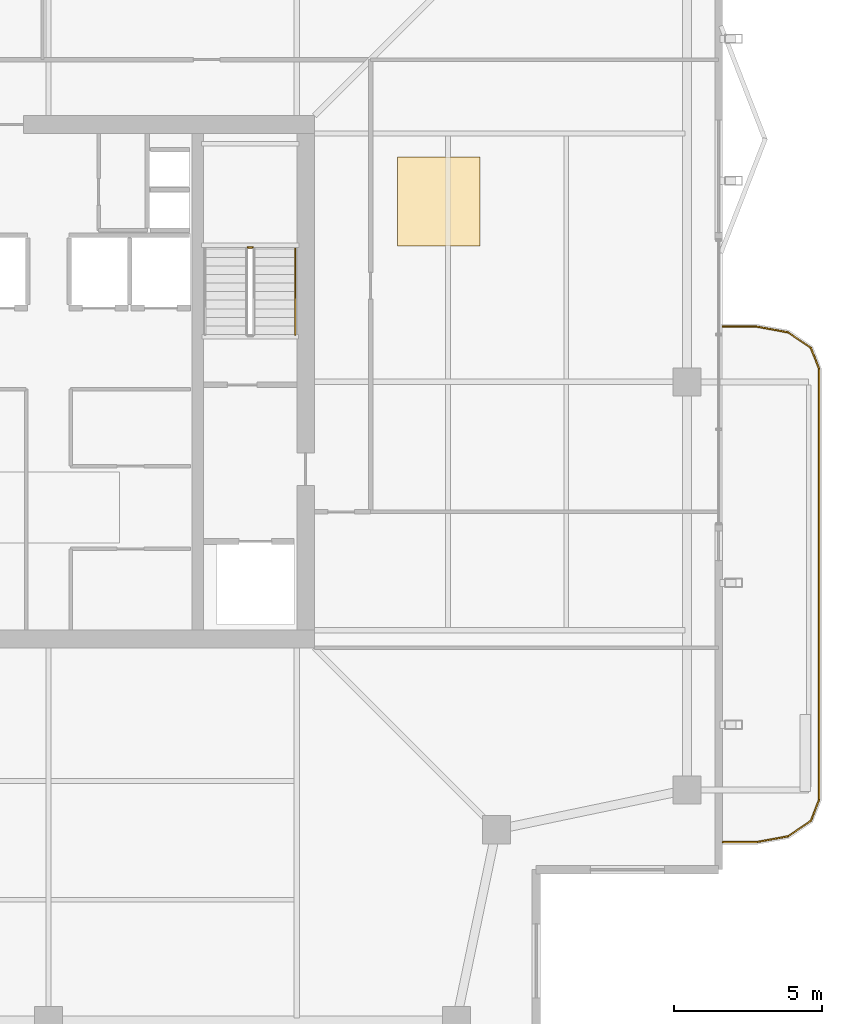
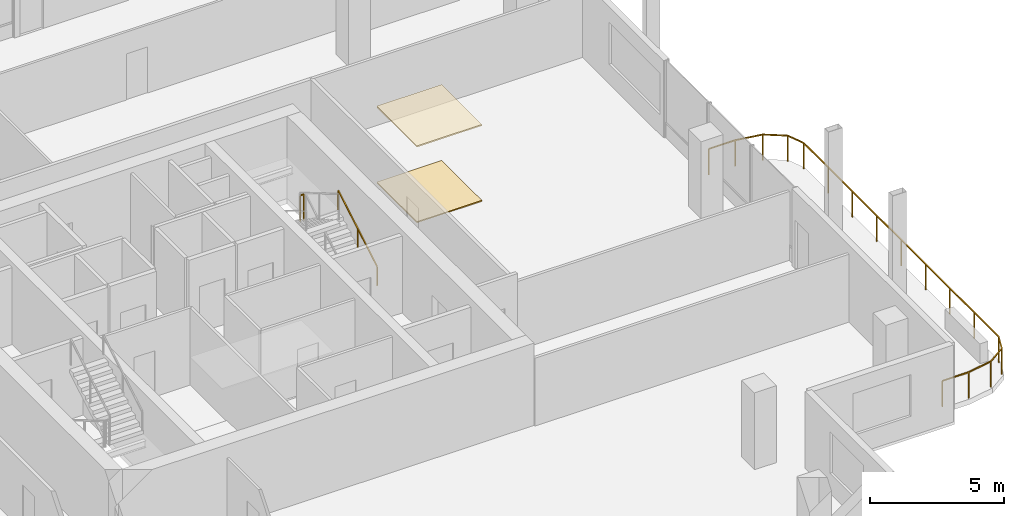
# One storey, part 19 of 20: 3 railings, 2 coverings.
"""IFC4 building model written with IfcOpenShell, lengths in metres."""

from ifc_helpers import new_model, si_unit, direction, frame, origin, origin_2d, place, context, subcontext, project, spatial, polyline, rectangle, outline, extrude, material, layer, layer_set, type_object, element, save


model = new_model("IFC4")

# Units and contexts
model_context = context("Model", 3, precision=1e-05, world=origin(), true_north=direction((0.0, 1.0)))
body_context = subcontext(model_context, "Body", "Model", "MODEL_VIEW")
ifc_project = project(units=[si_unit("LENGTHUNIT", "METRE"), si_unit("AREAUNIT", "SQUARE_METRE"), si_unit("VOLUMEUNIT", "CUBIC_METRE"), si_unit("PLANEANGLEUNIT", "RADIAN"), si_unit("MASSUNIT", "GRAM", prefix="KILO")], contexts=[model_context])

# Site, building, storey
site_placement = place(None, origin())
site = spatial("IfcSite", under=ifc_project, at=site_placement, CompositionType="ELEMENT")
building_placement = place(site_placement, origin())
building = spatial("IfcBuilding", under=site, at=building_placement, Name="Belovzor Exchange Tower", CompositionType="ELEMENT")
storey_placement = place(building_placement, frame((0.0, 0.0, 314.25)))
storey = spatial("IfcBuildingStorey", under=building, at=storey_placement, Name="L78", CompositionType="ELEMENT", Elevation=314.25)

# Railings
ifc_material_1 = material(Name="Stainless Steel Grade 304", Category="steel")
railing_type_1 = type_object("IfcRailingType", Name="Brushed Stainless Steel Stair Handrail 900", PredefinedType="HANDRAIL", material=ifc_material_1)
railing_1_placement = place(storey_placement, frame((37.14990234375, 30.39990234375, 0.17041015625)))
element("IfcRailing", 1, at=railing_1_placement, inside=storey, type_object=railing_type_1, Name="L78 ST-2 stair handrail 1", PredefinedType="HANDRAIL", context=body_context, shape_type="SweptSolid", body=[
    extrude(rectangle(XDim=0.048095703125, YDim=0.048095703125, at=origin_2d()), frame((0.0, 0.0, 0.8759765625), z_axis=(0.0, 0.862113265706, 0.506715617574), x_axis=(-1.0, 0.0, 0.0)), (0.0, 0.0, 1.0), 3.364013671875),
    extrude(rectangle(XDim=0.0419921875, YDim=0.0419921875, at=origin_2d()), origin(), (0.0, 0.0, 1.0), 0.851806640625),
    extrude(rectangle(XDim=0.0419921875, YDim=0.0419921875, at=origin_2d()), frame((0.0, 1.4501953125, 0.852294921875)), (0.0, 0.0, 1.0), 0.851806640625),
    extrude(rectangle(XDim=0.0419921875, YDim=0.0419921875, at=origin_2d()), frame((0.0, 2.900146484375, 1.70458984375)), (0.0, 0.0, 1.0), 0.851806640625),
])
ifc_material_2 = material(Name="Stainless Steel and Laminated Safety Glass", Category="steel")
railing_type_2 = type_object("IfcRailingType", Name="Laminated Glass & Stainless Steel Balcony Balustrade 1200", PredefinedType="BALUSTRADE", material=ifc_material_2)
railing_2_placement = place(storey_placement, frame((51.610107421875, 13.22998046875, 0.0)))
element("IfcRailing", 2, at=railing_2_placement, inside=storey, type_object=railing_type_2, Name="GR-1 Balcony Balustrade L78 East", PredefinedType="BALUSTRADE", context=body_context, shape_type="SweptSolid", body=[
    extrude(rectangle(XDim=0.048095703125, YDim=0.048095703125, at=origin_2d()), frame((0.0, 0.0, 1.17578125), z_axis=(1.0, 0.0, 0.0), x_axis=(0.0, 1.0, 0.0)), (0.0, 0.0, 1.0), 1.1328125),
    extrude(rectangle(XDim=0.048095703125, YDim=0.048095703125, at=origin_2d()), frame((1.1328125, 0.0, 1.17578125), z_axis=(0.983651385113, 0.180083182347, 0.0), x_axis=(-0.180083182347, 0.983651385113, 0.0)), (0.0, 0.0, 1.0), 1.093994140625),
    extrude(rectangle(XDim=0.048095703125, YDim=0.048095703125, at=origin_2d()), frame((2.208984375, 0.197021484375, 1.17578125), z_axis=(0.826614792125, 0.562768145367, 0.0), x_axis=(-0.562768145367, 0.826614792125, 0.0)), (0.0, 0.0, 1.0), 0.9326171875),
    extrude(rectangle(XDim=0.048095703125, YDim=0.048095703125, at=origin_2d()), frame((2.97998046875, 0.721923828125, 1.17578125), z_axis=(0.365504480807, 0.930809580156, 0.0), x_axis=(-0.930809580156, 0.365504480807, 0.0)), (0.0, 0.0, 1.0), 0.76611328125),
    extrude(rectangle(XDim=0.048095703125, YDim=0.048095703125, at=origin_2d()), frame((3.260009765625, 1.43505859375, 1.17578125), z_axis=(0.0, 1.0, 0.0), x_axis=(-1.0, 0.0, 0.0)), (0.0, 0.0, 1.0), 14.570068359375),
    extrude(rectangle(XDim=0.048095703125, YDim=0.048095703125, at=origin_2d()), frame((3.260009765625, 16.005126953125, 1.17578125), z_axis=(-0.365612923861, 0.930766990125, 0.0), x_axis=(-0.930766990125, -0.365612923861, 0.0)), (0.0, 0.0, 1.0), 0.765869140625),
    extrude(rectangle(XDim=0.048095703125, YDim=0.048095703125, at=origin_2d()), frame((2.97998046875, 16.718017578125, 1.17578125), z_axis=(-0.826614792125, 0.562768145367, 0.0), x_axis=(-0.562768145367, -0.826614792125, 0.0)), (0.0, 0.0, 1.0), 0.9326171875),
    extrude(rectangle(XDim=0.048095703125, YDim=0.048095703125, at=origin_2d()), frame((2.208984375, 17.242919921875, 1.17578125), z_axis=(-0.983651385113, 0.180083182347, 0.0), x_axis=(-0.180083182347, -0.983651385113, 0.0)), (0.0, 0.0, 1.0), 1.093994140625),
    extrude(rectangle(XDim=0.048095703125, YDim=0.048095703125, at=origin_2d()), frame((1.1328125, 17.43994140625, 1.17578125), z_axis=(-1.0, 0.0, 0.0), x_axis=(0.0, -1.0, 0.0)), (0.0, 0.0, 1.0), 1.1328125),
    extrude(rectangle(XDim=0.0419921875, YDim=0.0419921875, at=origin_2d()), origin(), (0.0, 0.0, 1.0), 1.15185546875),
    extrude(rectangle(XDim=0.0419921875, YDim=0.0419921875, at=origin_2d()), frame((1.1328125, 0.0, 0.0)), (0.0, 0.0, 1.0), 1.15185546875),
    extrude(rectangle(XDim=0.0419921875, YDim=0.0419921875, at=origin_2d()), frame((2.208984375, 0.197021484375, 0.0)), (0.0, 0.0, 1.0), 1.15185546875),
    extrude(rectangle(XDim=0.0419921875, YDim=0.0419921875, at=origin_2d()), frame((2.97998046875, 0.721923828125, 0.0)), (0.0, 0.0, 1.0), 1.15185546875),
    extrude(rectangle(XDim=0.0419921875, YDim=0.0419921875, at=origin_2d()), frame((3.260009765625, 1.43505859375, 0.0)), (0.0, 0.0, 1.0), 1.15185546875),
    extrude(rectangle(XDim=0.0419921875, YDim=0.0419921875, at=origin_2d()), frame((3.260009765625, 3.25634765625, 0.0)), (0.0, 0.0, 1.0), 1.15185546875),
    extrude(rectangle(XDim=0.0419921875, YDim=0.0419921875, at=origin_2d()), frame((3.260009765625, 5.07763671875, 0.0)), (0.0, 0.0, 1.0), 1.15185546875),
    extrude(rectangle(XDim=0.0419921875, YDim=0.0419921875, at=origin_2d()), frame((3.260009765625, 6.89892578125, 0.0)), (0.0, 0.0, 1.0), 1.15185546875),
    extrude(rectangle(XDim=0.0419921875, YDim=0.0419921875, at=origin_2d()), frame((3.260009765625, 8.72021484375, 0.0)), (0.0, 0.0, 1.0), 1.15185546875),
    extrude(rectangle(XDim=0.0419921875, YDim=0.0419921875, at=origin_2d()), frame((3.260009765625, 10.541259765625, 0.0)), (0.0, 0.0, 1.0), 1.15185546875),
    extrude(rectangle(XDim=0.0419921875, YDim=0.0419921875, at=origin_2d()), frame((3.260009765625, 12.362548828125, 0.0)), (0.0, 0.0, 1.0), 1.15185546875),
    extrude(rectangle(XDim=0.0419921875, YDim=0.0419921875, at=origin_2d()), frame((3.260009765625, 14.183837890625, 0.0)), (0.0, 0.0, 1.0), 1.15185546875),
    extrude(rectangle(XDim=0.0419921875, YDim=0.0419921875, at=origin_2d()), frame((3.260009765625, 16.005126953125, 0.0)), (0.0, 0.0, 1.0), 1.15185546875),
    extrude(rectangle(XDim=0.0419921875, YDim=0.0419921875, at=origin_2d()), frame((2.97998046875, 16.718017578125, 0.0)), (0.0, 0.0, 1.0), 1.15185546875),
    extrude(rectangle(XDim=0.0419921875, YDim=0.0419921875, at=origin_2d()), frame((2.208984375, 17.242919921875, 0.0)), (0.0, 0.0, 1.0), 1.15185546875),
    extrude(rectangle(XDim=0.0419921875, YDim=0.0419921875, at=origin_2d()), frame((1.1328125, 17.43994140625, 0.0)), (0.0, 0.0, 1.0), 1.15185546875),
    extrude(rectangle(XDim=0.0419921875, YDim=0.0419921875, at=origin_2d()), frame((0.0, 17.43994140625, 0.0)), (0.0, 0.0, 1.0), 1.15185546875),
])
ifc_material_3 = material(Name="Steel S355", Category="steel")
railing_type_3 = type_object("IfcRailingType", Name="Painted Steel Stairwell Guardrail 1200", PredefinedType="GUARDRAIL", material=ifc_material_3)
railing_3_placement = place(storey_placement, frame((35.699951171875, 33.35009765625, 1.875)))
element("IfcRailing", 3, at=railing_3_placement, inside=storey, type_object=railing_type_3, Name="L78 ST-2 stair guard 2", PredefinedType="GUARDRAIL", context=body_context, shape_type="SweptSolid", body=[
    extrude(rectangle(XDim=0.048095703125, YDim=0.048095703125, at=origin_2d()), frame((0.0, 0.0, 1.17578125), z_axis=(-1.0, 0.0, 0.0), x_axis=(0.0, -1.0, 0.0)), (0.0, 0.0, 1.0), 0.14990234375),
    extrude(rectangle(XDim=0.0419921875, YDim=0.0419921875, at=origin_2d()), origin(), (0.0, 0.0, 1.0), 1.15185546875),
    extrude(rectangle(XDim=0.0419921875, YDim=0.0419921875, at=origin_2d()), frame((-0.14990234375, 0.0, 0.0)), (0.0, 0.0, 1.0), 1.15185546875),
])

# Coverings
ifc_material_4 = material(Name="Perforated Powder-Coated Aluminium", Category="aluminium")
ifc_layer_1 = layer(ifc_material_4, 0.06005859375)
ifc_layer_set_1 = layer_set([ifc_layer_1], Name="Perforated Powder-Coated Aluminium")
covering_type_1 = type_object("IfcCoveringType", Name="Perforated Acoustic Metal Tile Suspended Ceiling 60", PredefinedType="CEILING", material=ifc_layer_set_1)
covering_1_placement = place(storey_placement, frame((0.0, 0.0, 3.449951171875)))
element("IfcCovering", 4, at=covering_1_placement, inside=storey, type_object=covering_type_1, Name="CLG-AC60 Suspended Ceiling CLG-L78-Z2", PredefinedType="CEILING", context=body_context, shape_type="SweptSolid", body=[
    extrude(outline(polyline([(40.60009765625, 33.39990234375), (43.39990234375, 33.39990234375), (43.39990234375, 36.39990234375), (40.60009765625, 36.39990234375), (40.60009765625, 33.39990234375)])), origin(), (0.0, 0.0, 1.0), 0.06005859375),
])
ifc_material_5 = material(Name="Polished Natural Granite Tile", Category="masonry")
ifc_layer_2 = layer(ifc_material_5, 0.050048828125)
ifc_layer_set_2 = layer_set([ifc_layer_2], Name="Polished Natural Granite Tile")
covering_type_2 = type_object("IfcCoveringType", Name="Polished Karelian Granite & Raised Access Floor Finish 50", PredefinedType="FLOORING", material=ifc_layer_set_2)
covering_2_placement = place(storey_placement, origin())
element("IfcCovering", 5, at=covering_2_placement, inside=storey, type_object=covering_type_2, Name="FLR-GR50 Floor Finish FLR-L78-Z2", PredefinedType="FLOORING", context=body_context, shape_type="SweptSolid", body=[
    extrude(outline(polyline([(40.60009765625, 33.39990234375), (43.39990234375, 33.39990234375), (43.39990234375, 36.39990234375), (40.60009765625, 36.39990234375), (40.60009765625, 33.39990234375)])), origin(), (0.0, 0.0, 1.0), 0.050048828125),
])

save(model, "model.ifc")
